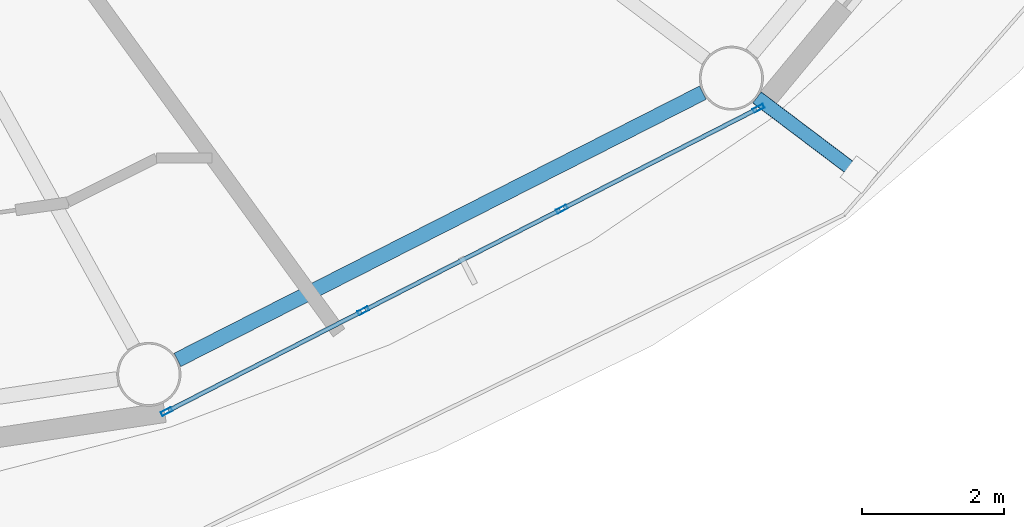
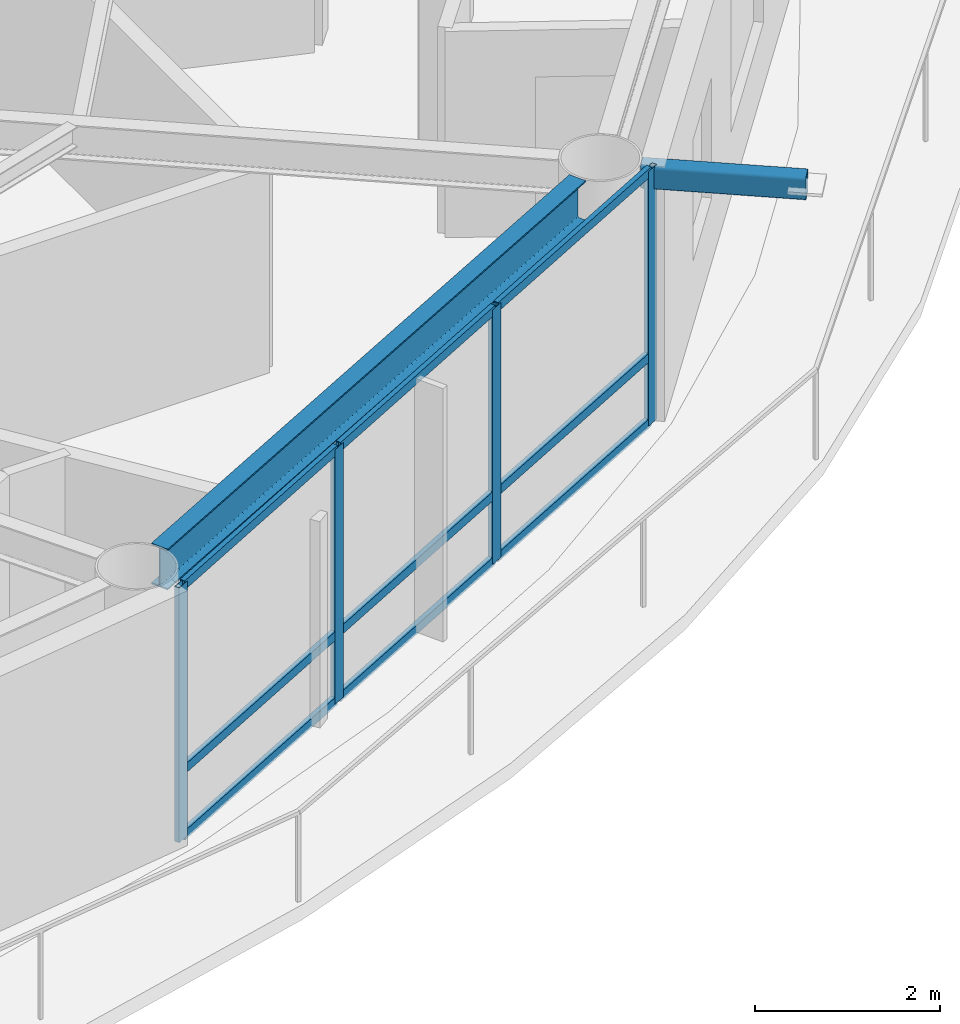
# One storey, part 5 of 23: 14 members, 1 beam, 1 element without a shape of its own.
"""IFC4 building model written with IfcOpenShell, lengths in metres."""

from ifc_helpers import new_model, si_unit, direction, frame, origin, origin_2d, place, context, subcontext, project, spatial, hollow_rectangle, i_section, extrude, material, layer, layer_set, material_profile, profile_set, type_object, element, aggregate, save


model = new_model("IFC4")

# Units and contexts
model_context = context("Model", 3, precision=1e-05, world=origin(), true_north=direction((0.0, 1.0)))
body_context = subcontext(model_context, "Body", "Model", "MODEL_VIEW")
ifc_project = project(units=[si_unit("LENGTHUNIT", "METRE"), si_unit("AREAUNIT", "SQUARE_METRE"), si_unit("VOLUMEUNIT", "CUBIC_METRE"), si_unit("PLANEANGLEUNIT", "RADIAN"), si_unit("MASSUNIT", "GRAM", prefix="KILO")], contexts=[model_context])

# Site, building, storey
site_placement = place(None, origin())
site = spatial("IfcSite", under=ifc_project, at=site_placement, CompositionType="ELEMENT")
building_placement = place(site_placement, origin())
building = spatial("IfcBuilding", under=site, at=building_placement, Name="Sarneth Arch Tower", CompositionType="ELEMENT")
storey_placement = place(building_placement, frame((0.0, 0.0, 220.800048828125)))
storey = spatial("IfcBuildingStorey", under=building, at=storey_placement, Name="L56", CompositionType="ELEMENT", Elevation=220.800048828125)

# Beam
ifc_material_1 = material(Name="Steel S355", Category="steel")
ifc_material_profile_1 = material_profile(ifc_material_1, i_section(OverallWidth=0.2109375, OverallDepth=0.5390625, WebThickness=0.01171875, FlangeThickness=0.018798828125, FilletRadius=0.01806640625, at=origin_2d()), Name="W530x109")
ifc_profile_set_1 = profile_set([ifc_material_profile_1], Name="Steel S355")
beam_type = type_object("IfcBeamType", Name="BM-RAD-530B", PredefinedType="BEAM", material=ifc_profile_set_1)
beam_placement = place(storey_placement, frame((58.19189453125, 24.465576171875, 3.09033203125), z_axis=(0.891376248079, 0.453264144138, 0.0), x_axis=(-0.453264144138, 0.891376248079, 0.0)))
element("IfcBeam", 1, at=beam_placement, inside=storey, type_object=beam_type, Name="L56 Perimeter spandrel beam 14", PredefinedType="BEAM", context=body_context, shape_type="SweptSolid", body=[
    extrude(i_section(OverallWidth=0.2109375, OverallDepth=0.5390625, WebThickness=0.01171875, FlangeThickness=0.018798828125, FilletRadius=0.01806640625, at=origin_2d()), origin(), (0.0, 0.0, 1.0), 8.281982421875),
])

# Curtain wall, members
ifc_material_2 = material(Name="Anodised aluminium Type AA25 and solar-control low-e laminated IGU", Category="aluminium")
ifc_layer = layer(ifc_material_2, 0.179931640625)
ifc_layer_set = layer_set([ifc_layer], Name="Anodised aluminium Type AA25 and solar-control low-e laminated IGU")
curtain_wall_type = type_object("IfcCurtainWallType", Name="CW-RES-HIGH", PredefinedType="NOTDEFINED", material=ifc_layer_set)
curtain_wall_placement = place(storey_placement, origin())
curtain_wall = element("IfcCurtainWall", 2, at=curtain_wall_placement, inside=storey, type_object=curtain_wall_type, Name="L56 Unitised curtain wall facet 14", PredefinedType="NOTDEFINED")
ifc_material_3 = material(Name="Anodised Aluminium 6063-T6", Category="aluminium")
ifc_material_profile_2 = material_profile(ifc_material_3, hollow_rectangle(XDim=0.06005859375, YDim=0.159912109375, WallThickness=0.00390625, at=origin_2d()), Name="AL-MULL-160x60x4")
ifc_profile_set_2 = profile_set([ifc_material_profile_2], Name="Anodised Aluminium 6063-T6")
member_type_1 = type_object("IfcMemberType", Name="CW-MULLION", PredefinedType="MULLION", material=ifc_profile_set_2)
member_1_placement = place(storey_placement, frame((58.039306640625, 23.7392578125, 0.0), z_axis=(0.0, 0.0, 1.0), x_axis=(-0.455941901753, 0.890009540525, 0.0)))
member_1 = element("IfcMember", 3, at=member_1_placement, type_object=member_type_1, Name="CW-SYS-6 mullion 1", PredefinedType="MULLION", context=body_context, shape_type="SweptSolid", body=[
    extrude(hollow_rectangle(XDim=0.06005859375, YDim=0.159912109375, WallThickness=0.00390625, at=origin_2d()), origin(), (0.0, 0.0, 1.0), 3.35986328125),
])
member_2_placement = place(storey_placement, frame((60.802490234375, 25.155029296875, 0.0), z_axis=(0.0, 0.0, 1.0), x_axis=(-0.455941901753, 0.890009540525, 0.0)))
member_2 = element("IfcMember", 4, at=member_2_placement, type_object=member_type_1, Name="CW-SYS-6 mullion 2", PredefinedType="MULLION", context=body_context, shape_type="SweptSolid", body=[
    extrude(hollow_rectangle(XDim=0.06005859375, YDim=0.159912109375, WallThickness=0.00390625, at=origin_2d()), origin(), (0.0, 0.0, 1.0), 3.35986328125),
])
member_3_placement = place(storey_placement, frame((63.592529296875, 26.584228515625, 0.0), z_axis=(0.0, 0.0, 1.0), x_axis=(-0.455941901753, 0.890009540525, 0.0)))
member_3 = element("IfcMember", 5, at=member_3_placement, type_object=member_type_1, Name="CW-SYS-6 mullion 3", PredefinedType="MULLION", context=body_context, shape_type="SweptSolid", body=[
    extrude(hollow_rectangle(XDim=0.06005859375, YDim=0.159912109375, WallThickness=0.00390625, at=origin_2d()), origin(), (0.0, 0.0, 1.0), 3.35986328125),
])
member_4_placement = place(storey_placement, frame((66.355712890625, 27.999755859375, 0.0), z_axis=(0.0, 0.0, 1.0), x_axis=(-0.455941901753, 0.890009540525, 0.0)))
member_4 = element("IfcMember", 6, at=member_4_placement, type_object=member_type_1, Name="CW-SYS-6 mullion 4", PredefinedType="MULLION", context=body_context, shape_type="SweptSolid", body=[
    extrude(hollow_rectangle(XDim=0.06005859375, YDim=0.159912109375, WallThickness=0.00390625, at=origin_2d()), origin(), (0.0, 0.0, 1.0), 3.35986328125),
])
ifc_material_4 = material(Name="Anodised Aluminium 6063-T6", Category="aluminium")
ifc_material_profile_3 = material_profile(ifc_material_4, hollow_rectangle(XDim=0.06005859375, YDim=0.1201171875, WallThickness=0.00390625, at=origin_2d()), Name="AL-TRAN-120x60x4")
ifc_profile_set_3 = profile_set([ifc_material_profile_3], Name="Anodised Aluminium 6063-T6")
member_type_2 = type_object("IfcMemberType", Name="CW-TRANSOM", PredefinedType="USERDEFINED", material=ifc_profile_set_3)
member_5_placement = place(storey_placement, frame((58.066162109375, 23.7529296875, 0.030029296875), z_axis=(0.889973523166, 0.456012201662, 0.0), x_axis=(-0.456012201662, 0.889973523166, 0.0)))
member_5 = element("IfcMember", 7, at=member_5_placement, type_object=member_type_2, Name="CW-SYS-6 transom 1.1", ObjectType="TRANSOM", PredefinedType="USERDEFINED", context=body_context, shape_type="SweptSolid", body=[
    extrude(hollow_rectangle(XDim=0.06005859375, YDim=0.1201171875, WallThickness=0.00390625, at=origin_2d()), origin(), (0.0, 0.0, 1.0), 3.044677734375),
])
member_6_placement = place(storey_placement, frame((58.066162109375, 23.7529296875, 0.89990234375), z_axis=(0.889973523166, 0.456012201662, 0.0), x_axis=(-0.456012201662, 0.889973523166, 0.0)))
member_6 = element("IfcMember", 8, at=member_6_placement, type_object=member_type_2, Name="CW-SYS-6 transom 1.2", ObjectType="TRANSOM", PredefinedType="USERDEFINED", context=body_context, shape_type="SweptSolid", body=[
    extrude(hollow_rectangle(XDim=0.06005859375, YDim=0.1201171875, WallThickness=0.00390625, at=origin_2d()), origin(), (0.0, 0.0, 1.0), 3.044677734375),
])
member_7_placement = place(storey_placement, frame((58.066162109375, 23.7529296875, 3.329833984375), z_axis=(0.889973523166, 0.456012201662, 0.0), x_axis=(-0.456012201662, 0.889973523166, 0.0)))
member_7 = element("IfcMember", 9, at=member_7_placement, type_object=member_type_2, Name="CW-SYS-6 transom 1.3", ObjectType="TRANSOM", PredefinedType="USERDEFINED", context=body_context, shape_type="SweptSolid", body=[
    extrude(hollow_rectangle(XDim=0.06005859375, YDim=0.1201171875, WallThickness=0.00390625, at=origin_2d()), origin(), (0.0, 0.0, 1.0), 3.044677734375),
])
member_8_placement = place(storey_placement, frame((60.829345703125, 25.168701171875, 0.030029296875), z_axis=(0.890017432405, 0.455926496286, 0.0), x_axis=(-0.455926496286, 0.890017432405, 0.0)))
member_8 = element("IfcMember", 10, at=member_8_placement, type_object=member_type_2, Name="CW-SYS-6 transom 2.1", ObjectType="TRANSOM", PredefinedType="USERDEFINED", context=body_context, shape_type="SweptSolid", body=[
    extrude(hollow_rectangle(XDim=0.06005859375, YDim=0.1201171875, WallThickness=0.00390625, at=origin_2d()), origin(), (0.0, 0.0, 1.0), 3.07470703125),
])
member_9_placement = place(storey_placement, frame((60.829345703125, 25.168701171875, 0.89990234375), z_axis=(0.890017432405, 0.455926496286, 0.0), x_axis=(-0.455926496286, 0.890017432405, 0.0)))
member_9 = element("IfcMember", 11, at=member_9_placement, type_object=member_type_2, Name="CW-SYS-6 transom 2.2", ObjectType="TRANSOM", PredefinedType="USERDEFINED", context=body_context, shape_type="SweptSolid", body=[
    extrude(hollow_rectangle(XDim=0.06005859375, YDim=0.1201171875, WallThickness=0.00390625, at=origin_2d()), origin(), (0.0, 0.0, 1.0), 3.07470703125),
])
member_10_placement = place(storey_placement, frame((60.829345703125, 25.168701171875, 3.329833984375), z_axis=(0.890017432405, 0.455926496286, 0.0), x_axis=(-0.455926496286, 0.890017432405, 0.0)))
member_10 = element("IfcMember", 12, at=member_10_placement, type_object=member_type_2, Name="CW-SYS-6 transom 2.3", ObjectType="TRANSOM", PredefinedType="USERDEFINED", context=body_context, shape_type="SweptSolid", body=[
    extrude(hollow_rectangle(XDim=0.06005859375, YDim=0.1201171875, WallThickness=0.00390625, at=origin_2d()), origin(), (0.0, 0.0, 1.0), 3.07470703125),
])
member_11_placement = place(storey_placement, frame((63.619140625, 26.597900390625, 0.030029296875), z_axis=(0.890022732705, 0.455916149384, 0.0), x_axis=(-0.455916149384, 0.890022732705, 0.0)))
member_11 = element("IfcMember", 13, at=member_11_placement, type_object=member_type_2, Name="CW-SYS-6 transom 3.1", ObjectType="TRANSOM", PredefinedType="USERDEFINED", context=body_context, shape_type="SweptSolid", body=[
    extrude(hollow_rectangle(XDim=0.06005859375, YDim=0.1201171875, WallThickness=0.00390625, at=origin_2d()), origin(), (0.0, 0.0, 1.0), 3.044921875),
])
member_12_placement = place(storey_placement, frame((63.619140625, 26.597900390625, 0.89990234375), z_axis=(0.890022732705, 0.455916149384, 0.0), x_axis=(-0.455916149384, 0.890022732705, 0.0)))
member_12 = element("IfcMember", 14, at=member_12_placement, type_object=member_type_2, Name="CW-SYS-6 transom 3.2", ObjectType="TRANSOM", PredefinedType="USERDEFINED", context=body_context, shape_type="SweptSolid", body=[
    extrude(hollow_rectangle(XDim=0.06005859375, YDim=0.1201171875, WallThickness=0.00390625, at=origin_2d()), origin(), (0.0, 0.0, 1.0), 3.044921875),
])
member_13_placement = place(storey_placement, frame((63.619140625, 26.597900390625, 3.329833984375), z_axis=(0.890022732705, 0.455916149384, 0.0), x_axis=(-0.455916149384, 0.890022732705, 0.0)))
member_13 = element("IfcMember", 15, at=member_13_placement, type_object=member_type_2, Name="CW-SYS-6 transom 3.3", ObjectType="TRANSOM", PredefinedType="USERDEFINED", context=body_context, shape_type="SweptSolid", body=[
    extrude(hollow_rectangle(XDim=0.06005859375, YDim=0.1201171875, WallThickness=0.00390625, at=origin_2d()), origin(), (0.0, 0.0, 1.0), 3.044921875),
])
aggregate(curtain_wall, [member_1, member_2, member_3, member_4, member_5, member_6, member_7, member_8, member_9, member_10, member_11, member_12, member_13])

# Member
ifc_material_5 = material(Name="Steel S355", Category="steel")
ifc_material_profile_4 = material_profile(ifc_material_5, hollow_rectangle(XDim=0.199951171875, YDim=0.300048828125, WallThickness=0.012451171875, InnerFilletRadius=0.018798828125, OuterFilletRadius=0.03125, at=origin_2d()), Name="RHS300x200x12.5")
ifc_profile_set_4 = profile_set([ifc_material_profile_4], Name="Steel S355")
member_type_3 = type_object("IfcMemberType", Name="MEM-CANT-STRUT", PredefinedType="STRUT", material=ifc_profile_set_4)
member_14_placement = place(storey_placement, frame((66.334228515625, 28.15234375, 3.199951171875), z_axis=(0.797960130975, -0.602710236659, 0.0), x_axis=(0.602710236659, 0.797960130975, 0.0)))
element("IfcMember", 16, at=member_14_placement, inside=storey, type_object=member_type_3, Name="L56 Balcony cantilever bracket 15", PredefinedType="STRUT", context=body_context, shape_type="SweptSolid", body=[
    extrude(hollow_rectangle(XDim=0.199951171875, YDim=0.300048828125, WallThickness=0.012451171875, InnerFilletRadius=0.018798828125, OuterFilletRadius=0.03125, at=origin_2d()), origin(), (0.0, 0.0, 1.0), 1.79931640625),
])

save(model, "model.ifc")
